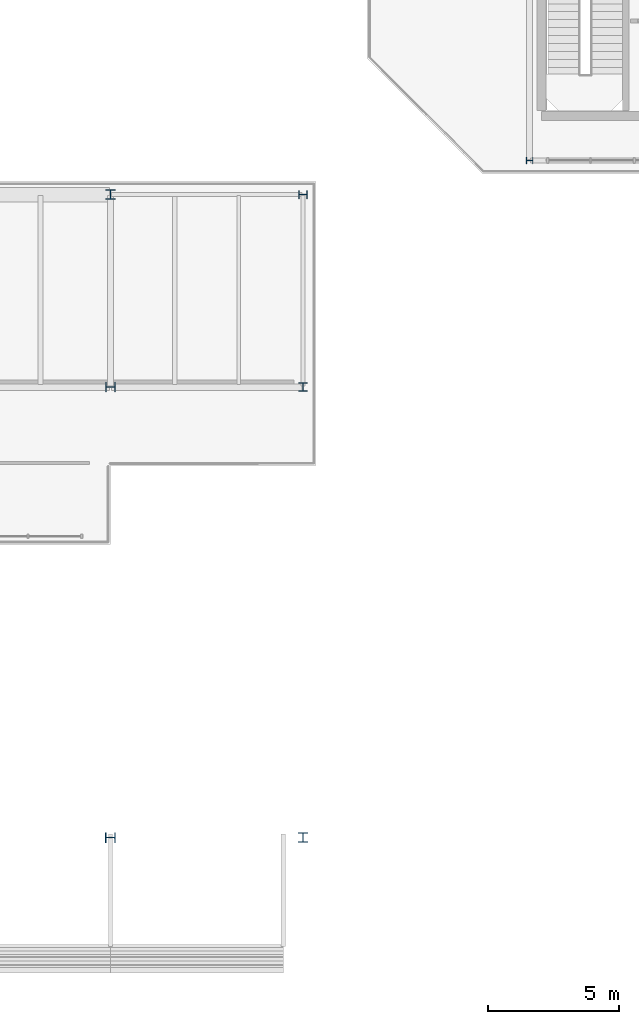
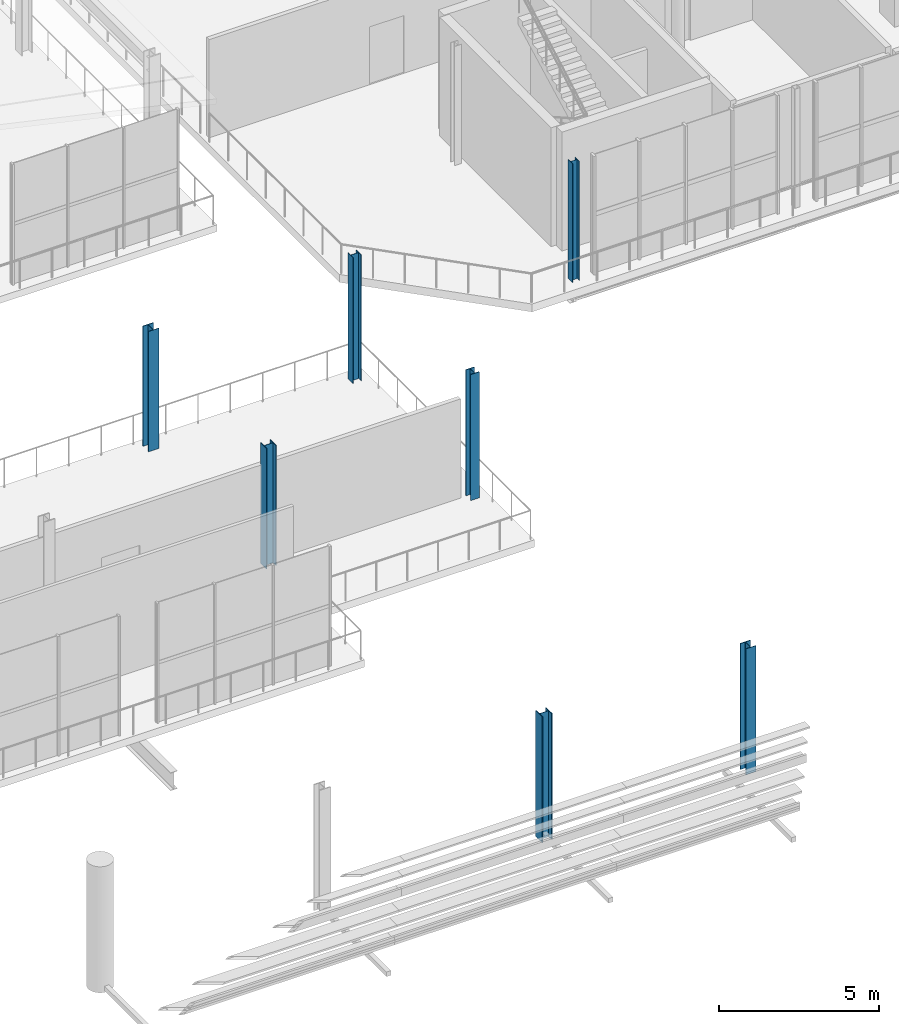
# One storey, part 4 of 70: 7 columns.
"""IFC4 building model written with IfcOpenShell, lengths in metres."""

from ifc_helpers import new_model, si_unit, direction, frame, origin, origin_2d, place, context, subcontext, project, spatial, i_section, extrude, material, material_profile, profile_set, type_object, element, save


model = new_model("IFC4")

# Units and contexts
model_context = context("Model", 3, precision=1e-05, world=origin(), true_north=direction((0.0, 1.0)))
body_context = subcontext(model_context, "Body", "Model", "MODEL_VIEW")
ifc_project = project(units=[si_unit("LENGTHUNIT", "METRE"), si_unit("AREAUNIT", "SQUARE_METRE"), si_unit("VOLUMEUNIT", "CUBIC_METRE"), si_unit("PLANEANGLEUNIT", "RADIAN"), si_unit("MASSUNIT", "GRAM", prefix="KILO")], contexts=[model_context])

# Site, building, storey
site_placement = place(None, origin())
site = spatial("IfcSite", under=ifc_project, at=site_placement, CompositionType="ELEMENT")
building_placement = place(site_placement, origin())
building = spatial("IfcBuilding", under=site, at=building_placement, Name="Brisemont Oceanarium", CompositionType="ELEMENT")
storey_placement = place(building_placement, frame((0.0, 0.0, 10.199951171875)))
storey = spatial("IfcBuildingStorey", under=building, at=storey_placement, Name="L02", CompositionType="ELEMENT", Elevation=10.199951171875)

# Columns
ifc_material_1 = material(Name="Structural Steel ASTM A992 Gr.50", Category="steel")
ifc_material_profile_1 = material_profile(ifc_material_1, i_section(OverallWidth=0.256103515625, OverallDepth=0.260009765625, WebThickness=0.0107421875, FlangeThickness=0.017333984375, FilletRadius=0.010986328125, at=origin_2d()), Name="W10X60")
ifc_profile_set_1 = profile_set([ifc_material_profile_1], Name="Structural Steel ASTM A992 Gr.50")
column_type_1 = type_object("IfcColumnType", Name="COL-W10X60", PredefinedType="COLUMN", material=ifc_profile_set_1)
column_1_placement = place(storey_placement, frame((64.0, 32.64990234375, 0.0), z_axis=(0.0, 0.0, 1.0), x_axis=(0.0, 1.0, 0.0)))
element("IfcColumn", 1, at=column_1_placement, inside=storey, type_object=column_type_1, Name="V1 L02 column (1,0)", PredefinedType="COLUMN", context=body_context, shape_type="SweptSolid", body=[
    extrude(i_section(OverallWidth=0.256103515625, OverallDepth=0.260009765625, WebThickness=0.0107421875, FlangeThickness=0.017333984375, FilletRadius=0.010986328125, at=origin_2d()), origin(), (0.0, 0.0, 1.0), 4.5400390625),
])
ifc_material_2 = material(Name="Structural Steel ASTM A992 Gr.50", Category="steel")
ifc_material_profile_2 = material_profile(ifc_material_2, i_section(OverallWidth=0.306884765625, OverallDepth=0.31494140625, WebThickness=0.011962890625, FlangeThickness=0.018798828125, FilletRadius=0.012939453125, at=origin_2d()), Name="W12X79")
ifc_profile_set_2 = profile_set([ifc_material_profile_2], Name="Structural Steel ASTM A992 Gr.50")
column_type_2 = type_object("IfcColumnType", Name="COL-W12X79", PredefinedType="COLUMN", material=ifc_profile_set_2)
column_2_placement = place(storey_placement, frame((55.35009765625, 31.35009765625, 0.0), z_axis=(0.0, 0.0, 1.0), x_axis=(0.0, 1.0, 0.0)))
element("IfcColumn", 2, at=column_2_placement, inside=storey, type_object=column_type_2, Name="V2 L02 column (6,3)", PredefinedType="COLUMN", context=body_context, shape_type="SweptSolid", body=[
    extrude(i_section(OverallWidth=0.306884765625, OverallDepth=0.31494140625, WebThickness=0.011962890625, FlangeThickness=0.018798828125, FilletRadius=0.012939453125, at=origin_2d()), origin(), (0.0, 0.0, 1.0), 4.800048828125),
])
ifc_material_3 = material(Name="Structural Steel ASTM A992 Gr.50", Category="steel")
ifc_material_profile_3 = material_profile(ifc_material_3, i_section(OverallWidth=0.30810546875, OverallDepth=0.318115234375, WebThickness=0.01318359375, FlangeThickness=0.0205078125, FilletRadius=0.012939453125, at=origin_2d()), Name="W12X87")
ifc_profile_set_3 = profile_set([ifc_material_profile_3], Name="Structural Steel ASTM A992 Gr.50")
column_type_3 = type_object("IfcColumnType", Name="COL-W12X87", PredefinedType="COLUMN", material=ifc_profile_set_3)
column_3_placement = place(storey_placement, frame((55.35009765625, 24.0, 0.0), z_axis=(0.0, 0.0, 1.0), x_axis=(1.0, 0.0, 0.0)))
element("IfcColumn", 3, at=column_3_placement, inside=storey, type_object=column_type_3, Name="V2 L02 column (6,2)", PredefinedType="COLUMN", context=body_context, shape_type="SweptSolid", body=[
    extrude(i_section(OverallWidth=0.30810546875, OverallDepth=0.318115234375, WebThickness=0.01318359375, FlangeThickness=0.0205078125, FilletRadius=0.012939453125, at=origin_2d()), origin(), (0.0, 0.0, 1.0), 4.800048828125),
])
ifc_material_4 = material(Name="Structural Steel ASTM A992 Gr.50", Category="steel")
ifc_material_profile_4 = material_profile(ifc_material_4, i_section(OverallWidth=0.37109375, OverallDepth=0.364013671875, WebThickness=0.01318359375, FlangeThickness=0.021728515625, FilletRadius=0.014892578125, at=origin_2d()), Name="W14X109")
ifc_profile_set_4 = profile_set([ifc_material_profile_4], Name="Structural Steel ASTM A992 Gr.50")
column_type_4 = type_object("IfcColumnType", Name="COL-W14X109", PredefinedType="COLUMN", material=ifc_profile_set_4)
column_4_placement = place(storey_placement, frame((48.0, 31.35009765625, 0.0), z_axis=(0.0, 0.0, 1.0), x_axis=(1.0, 0.0, 0.0)))
element("IfcColumn", 4, at=column_4_placement, inside=storey, type_object=column_type_4, Name="V2 L02 column (5,3)", PredefinedType="COLUMN", context=body_context, shape_type="SweptSolid", body=[
    extrude(i_section(OverallWidth=0.37109375, OverallDepth=0.364013671875, WebThickness=0.01318359375, FlangeThickness=0.021728515625, FilletRadius=0.014892578125, at=origin_2d()), origin(), (0.0, 0.0, 1.0), 4.580078125),
])
ifc_material_5 = material(Name="Structural Steel ASTM A992 Gr.50", Category="steel")
ifc_material_profile_5 = material_profile(ifc_material_5, i_section(OverallWidth=0.373046875, OverallDepth=0.367919921875, WebThickness=0.014892578125, FlangeThickness=0.02392578125, FilletRadius=0.014892578125, at=origin_2d()), Name="W14X120")
ifc_profile_set_5 = profile_set([ifc_material_profile_5], Name="Structural Steel ASTM A992 Gr.50")
column_type_5 = type_object("IfcColumnType", Name="COL-W14X120", PredefinedType="COLUMN", material=ifc_profile_set_5)
column_5_placement = place(storey_placement, frame((48.0, 24.0, 0.0), z_axis=(0.0, 0.0, 1.0), x_axis=(0.0, 1.0, 0.0)))
element("IfcColumn", 5, at=column_5_placement, inside=storey, type_object=column_type_5, Name="V2 L02 column (5,2)", PredefinedType="COLUMN", context=body_context, shape_type="SweptSolid", body=[
    extrude(i_section(OverallWidth=0.373046875, OverallDepth=0.367919921875, WebThickness=0.014892578125, FlangeThickness=0.02392578125, FilletRadius=0.014892578125, at=origin_2d()), origin(), (0.0, 0.0, 1.0), 4.580078125),
])
ifc_material_6 = material(Name="Structural Steel ASTM A992 Gr.50", Category="steel")
ifc_material_profile_6 = material_profile(ifc_material_6, i_section(OverallWidth=0.39404296875, OverallDepth=0.3759765625, WebThickness=0.017333984375, FlangeThickness=0.027587890625, FilletRadius=0.014892578125, at=origin_2d()), Name="W14X145")
ifc_profile_set_6 = profile_set([ifc_material_profile_6], Name="Structural Steel ASTM A992 Gr.50")
column_type_6 = type_object("IfcColumnType", Name="COL-W14X145", PredefinedType="COLUMN", material=ifc_profile_set_6)
column_6_placement = place(storey_placement, frame((48.0, 6.800048828125, 0.0), z_axis=(0.0, 0.0, 1.0), x_axis=(0.0, 1.0, 0.0)))
element("IfcColumn", 6, at=column_6_placement, inside=storey, type_object=column_type_6, Name="V2 L02 column (5,0)", PredefinedType="COLUMN", context=body_context, shape_type="SweptSolid", body=[
    extrude(i_section(OverallWidth=0.39404296875, OverallDepth=0.3759765625, WebThickness=0.017333984375, FlangeThickness=0.027587890625, FilletRadius=0.014892578125, at=origin_2d()), origin(), (0.0, 0.0, 1.0), 4.800048828125),
])
ifc_material_7 = material(Name="Structural Steel ASTM A992 Gr.50", Category="steel")
ifc_material_profile_7 = material_profile(ifc_material_7, i_section(OverallWidth=0.37109375, OverallDepth=0.361083984375, WebThickness=0.01220703125, FlangeThickness=0.019775390625, FilletRadius=0.014892578125, at=origin_2d()), Name="W14X99")
ifc_profile_set_7 = profile_set([ifc_material_profile_7], Name="Structural Steel ASTM A992 Gr.50")
column_type_7 = type_object("IfcColumnType", Name="COL-W14X99", PredefinedType="COLUMN", material=ifc_profile_set_7)
column_7_placement = place(storey_placement, frame((55.35009765625, 6.800048828125, 0.0), z_axis=(0.0, 0.0, 1.0), x_axis=(1.0, 0.0, 0.0)))
element("IfcColumn", 7, at=column_7_placement, inside=storey, type_object=column_type_7, Name="V2 L02 column (6,0)", PredefinedType="COLUMN", context=body_context, shape_type="SweptSolid", body=[
    extrude(i_section(OverallWidth=0.37109375, OverallDepth=0.361083984375, WebThickness=0.01220703125, FlangeThickness=0.019775390625, FilletRadius=0.014892578125, at=origin_2d()), origin(), (0.0, 0.0, 1.0), 4.800048828125),
])

save(model, "model.ifc")
